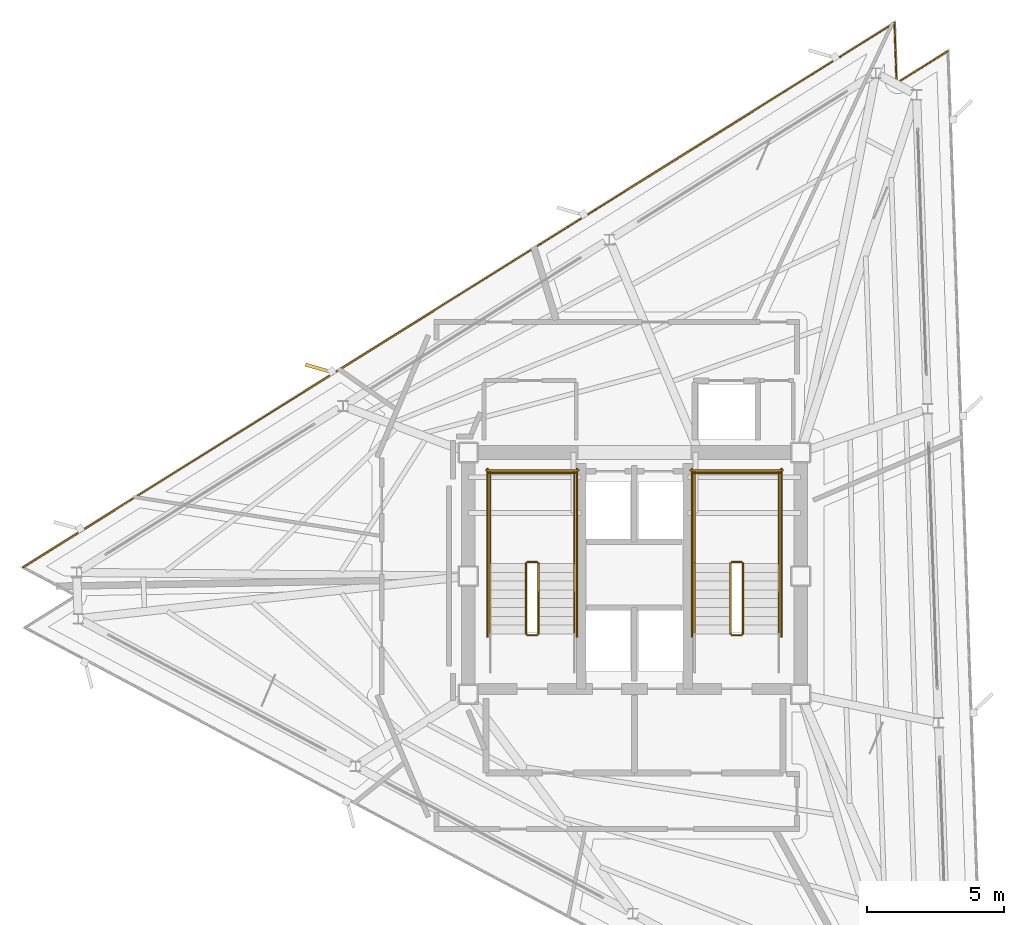
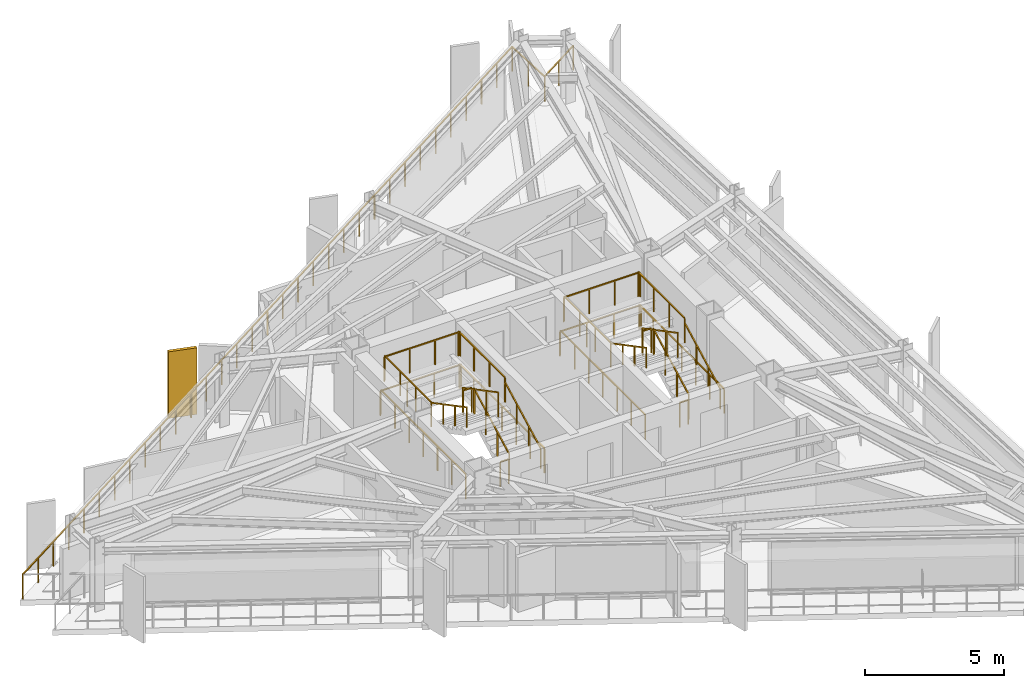
# One storey, part 12 of 13: 25 railings, 1 shading device.
"""IFC4 building model written with IfcOpenShell, lengths in metres."""

from ifc_helpers import new_model, si_unit, direction, frame, origin, origin_2d, place, context, subcontext, project, spatial, rectangle, extrude, material, layer, layer_set, type_object, element, save


model = new_model("IFC4")

# Units and contexts
model_context = context("Model", 3, precision=1e-05, world=origin(), true_north=direction((0.0, 1.0)))
body_context = subcontext(model_context, "Body", "Model", "MODEL_VIEW")
ifc_project = project(units=[si_unit("LENGTHUNIT", "METRE"), si_unit("AREAUNIT", "SQUARE_METRE"), si_unit("VOLUMEUNIT", "CUBIC_METRE"), si_unit("PLANEANGLEUNIT", "RADIAN"), si_unit("MASSUNIT", "GRAM", prefix="KILO")], contexts=[model_context])

# Site, building, storey
site_placement = place(None, origin())
site = spatial("IfcSite", under=ifc_project, at=site_placement, CompositionType="ELEMENT")
building_placement = place(site_placement, origin())
building = spatial("IfcBuilding", under=site, at=building_placement, Name="Rocaltana Carrier Exchange", CompositionType="ELEMENT")
storey_placement = place(building_placement, frame((0.0, 0.0, 196.639892578125)))
storey = spatial("IfcBuildingStorey", under=building, at=storey_placement, Name="L62", CompositionType="ELEMENT", Elevation=196.639892578125)

# Railings
ifc_material_1 = material(Name="Brushed Architectural Stainless Tube", Category="steel")
ifc_layer_1 = layer(ifc_material_1, 0.048095703125)
ifc_layer_set_1 = layer_set([ifc_layer_1], Name="Brushed Architectural Stainless Tube")
railing_type_1 = type_object("IfcRailingType", Name="Stair Wall Handrail 920", PredefinedType="HANDRAIL", material=ifc_layer_set_1)
railing_1_placement = place(storey_placement, frame((-2.18994140625, -2.10009765625, 0.1689453125)))
element("IfcRailing", 1, at=railing_1_placement, inside=storey, type_object=railing_type_1, Name="L62 ST-1 stair handrail 1", PredefinedType="HANDRAIL", context=body_context, shape_type="SweptSolid", body=[
    extrude(rectangle(XDim=0.048095703125, YDim=0.048095703125, at=origin_2d()), frame((0.0, 0.0, 0.8759765625), z_axis=(0.0, 0.884394423565, 0.466740295633), x_axis=(-1.0, 0.0, 0.0)), (0.0, 0.0, 1.0), 2.894775390625),
    extrude(rectangle(XDim=0.0419921875, YDim=0.0419921875, at=origin_2d()), origin(), (0.0, 0.0, 1.0), 0.851806640625),
    extrude(rectangle(XDim=0.0419921875, YDim=0.0419921875, at=origin_2d()), frame((0.0, 0.853271484375, 0.450439453125)), (0.0, 0.0, 1.0), 0.851806640625),
    extrude(rectangle(XDim=0.0419921875, YDim=0.0419921875, at=origin_2d()), frame((0.0, 1.706787109375, 0.900634765625)), (0.0, 0.0, 1.0), 0.851806640625),
    extrude(rectangle(XDim=0.0419921875, YDim=0.0419921875, at=origin_2d()), frame((0.0, 2.56005859375, 1.35107421875)), (0.0, 0.0, 1.0), 0.851806640625),
])
railing_2_placement = place(storey_placement, frame((-5.25, 0.4599609375, 1.68896484375)))
element("IfcRailing", 2, at=railing_2_placement, inside=storey, type_object=railing_type_1, Name="L62 ST-1 stair handrail 2", PredefinedType="HANDRAIL", context=body_context, shape_type="SweptSolid", body=[
    extrude(rectangle(XDim=0.048095703125, YDim=0.048095703125, at=origin_2d()), frame((0.0, 0.0, 0.8759765625), z_axis=(0.0, -0.884394423565, 0.466740295633), x_axis=(1.0, 0.0, 0.0)), (0.0, 0.0, 1.0), 2.894775390625),
    extrude(rectangle(XDim=0.0419921875, YDim=0.0419921875, at=origin_2d()), origin(), (0.0, 0.0, 1.0), 0.851806640625),
    extrude(rectangle(XDim=0.0419921875, YDim=0.0419921875, at=origin_2d()), frame((0.0, -0.853271484375, 0.450439453125)), (0.0, 0.0, 1.0), 0.851806640625),
    extrude(rectangle(XDim=0.0419921875, YDim=0.0419921875, at=origin_2d()), frame((0.0, -1.706787109375, 0.900634765625)), (0.0, 0.0, 1.0), 0.851806640625),
    extrude(rectangle(XDim=0.0419921875, YDim=0.0419921875, at=origin_2d()), frame((0.0, -2.56005859375, 1.35107421875)), (0.0, 0.0, 1.0), 0.851806640625),
])
railing_3_placement = place(storey_placement, frame((5.25, -2.10009765625, 0.1689453125)))
element("IfcRailing", 3, at=railing_3_placement, inside=storey, type_object=railing_type_1, Name="L62 ST-2 stair handrail 1", PredefinedType="HANDRAIL", context=body_context, shape_type="SweptSolid", body=[
    extrude(rectangle(XDim=0.048095703125, YDim=0.048095703125, at=origin_2d()), frame((0.0, 0.0, 0.8759765625), z_axis=(0.0, 0.884394423565, 0.466740295633), x_axis=(-1.0, 0.0, 0.0)), (0.0, 0.0, 1.0), 2.894775390625),
    extrude(rectangle(XDim=0.0419921875, YDim=0.0419921875, at=origin_2d()), origin(), (0.0, 0.0, 1.0), 0.851806640625),
    extrude(rectangle(XDim=0.0419921875, YDim=0.0419921875, at=origin_2d()), frame((0.0, 0.853271484375, 0.450439453125)), (0.0, 0.0, 1.0), 0.851806640625),
    extrude(rectangle(XDim=0.0419921875, YDim=0.0419921875, at=origin_2d()), frame((0.0, 1.706787109375, 0.900634765625)), (0.0, 0.0, 1.0), 0.851806640625),
    extrude(rectangle(XDim=0.0419921875, YDim=0.0419921875, at=origin_2d()), frame((0.0, 2.56005859375, 1.35107421875)), (0.0, 0.0, 1.0), 0.851806640625),
])
railing_4_placement = place(storey_placement, frame((2.18994140625, 0.4599609375, 1.68896484375)))
element("IfcRailing", 4, at=railing_4_placement, inside=storey, type_object=railing_type_1, Name="L62 ST-2 stair handrail 2", PredefinedType="HANDRAIL", context=body_context, shape_type="SweptSolid", body=[
    extrude(rectangle(XDim=0.048095703125, YDim=0.048095703125, at=origin_2d()), frame((0.0, 0.0, 0.8759765625), z_axis=(0.0, -0.884394423565, 0.466740295633), x_axis=(1.0, 0.0, 0.0)), (0.0, 0.0, 1.0), 2.894775390625),
    extrude(rectangle(XDim=0.0419921875, YDim=0.0419921875, at=origin_2d()), origin(), (0.0, 0.0, 1.0), 0.851806640625),
    extrude(rectangle(XDim=0.0419921875, YDim=0.0419921875, at=origin_2d()), frame((0.0, -0.853271484375, 0.450439453125)), (0.0, 0.0, 1.0), 0.851806640625),
    extrude(rectangle(XDim=0.0419921875, YDim=0.0419921875, at=origin_2d()), frame((0.0, -1.706787109375, 0.900634765625)), (0.0, 0.0, 1.0), 0.851806640625),
    extrude(rectangle(XDim=0.0419921875, YDim=0.0419921875, at=origin_2d()), frame((0.0, -2.56005859375, 1.35107421875)), (0.0, 0.0, 1.0), 0.851806640625),
])
ifc_material_2 = material(Name="Powder-Coated Aluminium 6063-T6", Category="aluminium")
ifc_layer_2 = layer(ifc_material_2, 0.048095703125)
ifc_layer_set_2 = layer_set([ifc_layer_2], Name="Powder-Coated Aluminium 6063-T6")
railing_type_2 = type_object("IfcRailingType", Name="Stair Well Guardrail 1100", PredefinedType="GUARDRAIL", material=ifc_layer_set_2)
railing_5_placement = place(storey_placement, frame((-3.489990234375, -2.10009765625, 0.1689453125)))
element("IfcRailing", 5, at=railing_5_placement, inside=storey, type_object=railing_type_2, Name="L62 ST-1 stair guard 1", PredefinedType="GUARDRAIL", context=body_context, shape_type="SweptSolid", body=[
    extrude(rectangle(XDim=0.048095703125, YDim=0.048095703125, at=origin_2d()), frame((0.0, 0.0, 1.076171875), z_axis=(0.0, 0.884394423565, 0.466740295633), x_axis=(-1.0, 0.0, 0.0)), (0.0, 0.0, 1.0), 2.894775390625),
    extrude(rectangle(XDim=0.0419921875, YDim=0.0419921875, at=origin_2d()), origin(), (0.0, 0.0, 1.0), 1.052001953125),
    extrude(rectangle(XDim=0.0419921875, YDim=0.0419921875, at=origin_2d()), frame((0.0, 0.853271484375, 0.450439453125)), (0.0, 0.0, 1.0), 1.052001953125),
    extrude(rectangle(XDim=0.0419921875, YDim=0.0419921875, at=origin_2d()), frame((0.0, 1.706787109375, 0.900634765625)), (0.0, 0.0, 1.0), 1.052001953125),
    extrude(rectangle(XDim=0.0419921875, YDim=0.0419921875, at=origin_2d()), frame((0.0, 2.56005859375, 1.35107421875)), (0.0, 0.0, 1.0), 1.052001953125),
])
railing_6_placement = place(storey_placement, frame((-3.5400390625, 0.510009765625, 1.52001953125)))
element("IfcRailing", 6, at=railing_6_placement, inside=storey, type_object=railing_type_2, Name="L62 ST-1 stair guard 2", PredefinedType="GUARDRAIL", context=body_context, shape_type="SweptSolid", body=[
    extrude(rectangle(XDim=0.048095703125, YDim=0.048095703125, at=origin_2d()), frame((0.0, 0.0, 1.076171875), z_axis=(-1.0, 0.0, 0.0), x_axis=(0.0, -1.0, 0.0)), (0.0, 0.0, 1.0), 0.35986328125),
    extrude(rectangle(XDim=0.0419921875, YDim=0.0419921875, at=origin_2d()), origin(), (0.0, 0.0, 1.0), 1.052001953125),
    extrude(rectangle(XDim=0.0419921875, YDim=0.0419921875, at=origin_2d()), frame((-0.35986328125, 0.0, 0.0)), (0.0, 0.0, 1.0), 1.052001953125),
])
for number, where, name in (
    (7, (-2.18994140625, 0.4599609375, 1.52001953125), "L62 ST-1 stair guard 3"),
    (8, (-5.25, 0.4599609375, 1.52001953125), "L62 ST-1 stair guard 4"),
):
    element("IfcRailing", number, at=place(storey_placement, frame(where)), inside=storey, type_object=railing_type_2, Name=name, PredefinedType="GUARDRAIL", context=body_context, shape_type="SweptSolid", body=[
        extrude(rectangle(XDim=0.048095703125, YDim=0.048095703125, at=origin_2d()), frame((0.0, 0.0, 1.076171875), z_axis=(0.0, 1.0, 0.0), x_axis=(-1.0, 0.0, 0.0)), (0.0, 0.0, 1.0), 3.340087890625),
        extrude(rectangle(XDim=0.0419921875, YDim=0.0419921875, at=origin_2d()), origin(), (0.0, 0.0, 1.0), 1.052001953125),
        extrude(rectangle(XDim=0.0419921875, YDim=0.0419921875, at=origin_2d()), frame((0.0, 1.11328125, 0.0)), (0.0, 0.0, 1.0), 1.052001953125),
        extrude(rectangle(XDim=0.0419921875, YDim=0.0419921875, at=origin_2d()), frame((0.0, 2.226806640625, 0.0)), (0.0, 0.0, 1.0), 1.052001953125),
        extrude(rectangle(XDim=0.0419921875, YDim=0.0419921875, at=origin_2d()), frame((0.0, 3.340087890625, 0.0)), (0.0, 0.0, 1.0), 1.052001953125),
    ])
railing_7_placement = place(storey_placement, frame((-2.139892578125, 3.75, 1.52001953125)))
element("IfcRailing", 9, at=railing_7_placement, inside=storey, type_object=railing_type_2, Name="L62 ST-1 stair guard 5", PredefinedType="GUARDRAIL", context=body_context, shape_type="SweptSolid", body=[
    extrude(rectangle(XDim=0.048095703125, YDim=0.048095703125, at=origin_2d()), frame((0.0, 0.0, 1.076171875), z_axis=(-1.0, 0.0, 0.0), x_axis=(0.0, -1.0, 0.0)), (0.0, 0.0, 1.0), 3.16015625),
    extrude(rectangle(XDim=0.0419921875, YDim=0.0419921875, at=origin_2d()), origin(), (0.0, 0.0, 1.0), 1.052001953125),
    extrude(rectangle(XDim=0.0419921875, YDim=0.0419921875, at=origin_2d()), frame((-1.053466796875, 0.0, 0.0)), (0.0, 0.0, 1.0), 1.052001953125),
    extrude(rectangle(XDim=0.0419921875, YDim=0.0419921875, at=origin_2d()), frame((-2.106689453125, 0.0, 0.0)), (0.0, 0.0, 1.0), 1.052001953125),
    extrude(rectangle(XDim=0.0419921875, YDim=0.0419921875, at=origin_2d()), frame((-3.16015625, 0.0, 0.0)), (0.0, 0.0, 1.0), 1.052001953125),
])
railing_8_placement = place(storey_placement, frame((-3.949951171875, 0.4599609375, 1.68896484375)))
element("IfcRailing", 10, at=railing_8_placement, inside=storey, type_object=railing_type_2, Name="L62 ST-1 stair guard 6", PredefinedType="GUARDRAIL", context=body_context, shape_type="SweptSolid", body=[
    extrude(rectangle(XDim=0.048095703125, YDim=0.048095703125, at=origin_2d()), frame((0.0, 0.0, 1.076171875), z_axis=(0.0, -0.884394423565, 0.466740295633), x_axis=(1.0, 0.0, 0.0)), (0.0, 0.0, 1.0), 2.894775390625),
    extrude(rectangle(XDim=0.0419921875, YDim=0.0419921875, at=origin_2d()), origin(), (0.0, 0.0, 1.0), 1.052001953125),
    extrude(rectangle(XDim=0.0419921875, YDim=0.0419921875, at=origin_2d()), frame((0.0, -0.853271484375, 0.450439453125)), (0.0, 0.0, 1.0), 1.052001953125),
    extrude(rectangle(XDim=0.0419921875, YDim=0.0419921875, at=origin_2d()), frame((0.0, -1.706787109375, 0.900634765625)), (0.0, 0.0, 1.0), 1.052001953125),
    extrude(rectangle(XDim=0.0419921875, YDim=0.0419921875, at=origin_2d()), frame((0.0, -2.56005859375, 1.35107421875)), (0.0, 0.0, 1.0), 1.052001953125),
])
railing_9_placement = place(storey_placement, frame((-3.5400390625, -2.14990234375, 0.0)))
element("IfcRailing", 11, at=railing_9_placement, inside=storey, type_object=railing_type_2, Name="L62 ST-1 stair guard 7", PredefinedType="GUARDRAIL", context=body_context, shape_type="SweptSolid", body=[
    extrude(rectangle(XDim=0.048095703125, YDim=0.048095703125, at=origin_2d()), frame((0.0, 0.0, 1.076171875), z_axis=(-1.0, 0.0, 0.0), x_axis=(0.0, -1.0, 0.0)), (0.0, 0.0, 1.0), 0.35986328125),
    extrude(rectangle(XDim=0.0419921875, YDim=0.0419921875, at=origin_2d()), origin(), (0.0, 0.0, 1.0), 1.052001953125),
    extrude(rectangle(XDim=0.0419921875, YDim=0.0419921875, at=origin_2d()), frame((-0.35986328125, 0.0, 0.0)), (0.0, 0.0, 1.0), 1.052001953125),
])
for number, where, name in (
    (12, (-2.090087890625, -2.199951171875, 0.0), "L62 ST-1 stair guard 10"),
    (13, (-5.35009765625, -2.199951171875, 0.0), "L62 ST-1 stair guard 11"),
):
    element("IfcRailing", number, at=place(storey_placement, frame(where)), inside=storey, type_object=railing_type_2, Name=name, PredefinedType="GUARDRAIL", context=body_context, shape_type="SweptSolid", body=[
        extrude(rectangle(XDim=0.048095703125, YDim=0.048095703125, at=origin_2d()), frame((0.0, 0.0, 1.076171875), z_axis=(0.0, 1.0, 0.0), x_axis=(-1.0, 0.0, 0.0)), (0.0, 0.0, 1.0), 6.099853515625),
        extrude(rectangle(XDim=0.0419921875, YDim=0.0419921875, at=origin_2d()), origin(), (0.0, 0.0, 1.0), 1.052001953125),
        extrude(rectangle(XDim=0.0419921875, YDim=0.0419921875, at=origin_2d()), frame((0.0, 1.0166015625, 0.0)), (0.0, 0.0, 1.0), 1.052001953125),
        extrude(rectangle(XDim=0.0419921875, YDim=0.0419921875, at=origin_2d()), frame((0.0, 2.033203125, 0.0)), (0.0, 0.0, 1.0), 1.052001953125),
        extrude(rectangle(XDim=0.0419921875, YDim=0.0419921875, at=origin_2d()), frame((0.0, 3.0498046875, 0.0)), (0.0, 0.0, 1.0), 1.052001953125),
        extrude(rectangle(XDim=0.0419921875, YDim=0.0419921875, at=origin_2d()), frame((0.0, 4.066650390625, 0.0)), (0.0, 0.0, 1.0), 1.052001953125),
        extrude(rectangle(XDim=0.0419921875, YDim=0.0419921875, at=origin_2d()), frame((0.0, 5.083251953125, 0.0)), (0.0, 0.0, 1.0), 1.052001953125),
        extrude(rectangle(XDim=0.0419921875, YDim=0.0419921875, at=origin_2d()), frame((0.0, 6.099853515625, 0.0)), (0.0, 0.0, 1.0), 1.052001953125),
    ])
railing_10_placement = place(storey_placement, frame((-2.0400390625, 3.85009765625, 0.0)))
element("IfcRailing", 14, at=railing_10_placement, inside=storey, type_object=railing_type_2, Name="L62 ST-1 stair guard 12", PredefinedType="GUARDRAIL", context=body_context, shape_type="SweptSolid", body=[
    extrude(rectangle(XDim=0.048095703125, YDim=0.048095703125, at=origin_2d()), frame((0.0, 0.0, 1.076171875), z_axis=(-1.0, 0.0, 0.0), x_axis=(0.0, -1.0, 0.0)), (0.0, 0.0, 1.0), 3.35986328125),
    extrude(rectangle(XDim=0.0419921875, YDim=0.0419921875, at=origin_2d()), origin(), (0.0, 0.0, 1.0), 1.052001953125),
    extrude(rectangle(XDim=0.0419921875, YDim=0.0419921875, at=origin_2d()), frame((-1.119873046875, 0.0, 0.0)), (0.0, 0.0, 1.0), 1.052001953125),
    extrude(rectangle(XDim=0.0419921875, YDim=0.0419921875, at=origin_2d()), frame((-2.239990234375, 0.0, 0.0)), (0.0, 0.0, 1.0), 1.052001953125),
    extrude(rectangle(XDim=0.0419921875, YDim=0.0419921875, at=origin_2d()), frame((-3.35986328125, 0.0, 0.0)), (0.0, 0.0, 1.0), 1.052001953125),
])
railing_11_placement = place(storey_placement, frame((3.949951171875, -2.10009765625, 0.1689453125)))
element("IfcRailing", 15, at=railing_11_placement, inside=storey, type_object=railing_type_2, Name="L62 ST-2 stair guard 1", PredefinedType="GUARDRAIL", context=body_context, shape_type="SweptSolid", body=[
    extrude(rectangle(XDim=0.048095703125, YDim=0.048095703125, at=origin_2d()), frame((0.0, 0.0, 1.076171875), z_axis=(0.0, 0.884394423565, 0.466740295633), x_axis=(-1.0, 0.0, 0.0)), (0.0, 0.0, 1.0), 2.894775390625),
    extrude(rectangle(XDim=0.0419921875, YDim=0.0419921875, at=origin_2d()), origin(), (0.0, 0.0, 1.0), 1.052001953125),
    extrude(rectangle(XDim=0.0419921875, YDim=0.0419921875, at=origin_2d()), frame((0.0, 0.853271484375, 0.450439453125)), (0.0, 0.0, 1.0), 1.052001953125),
    extrude(rectangle(XDim=0.0419921875, YDim=0.0419921875, at=origin_2d()), frame((0.0, 1.706787109375, 0.900634765625)), (0.0, 0.0, 1.0), 1.052001953125),
    extrude(rectangle(XDim=0.0419921875, YDim=0.0419921875, at=origin_2d()), frame((0.0, 2.56005859375, 1.35107421875)), (0.0, 0.0, 1.0), 1.052001953125),
])
railing_12_placement = place(storey_placement, frame((3.89990234375, 0.510009765625, 1.52001953125)))
element("IfcRailing", 16, at=railing_12_placement, inside=storey, type_object=railing_type_2, Name="L62 ST-2 stair guard 2", PredefinedType="GUARDRAIL", context=body_context, shape_type="SweptSolid", body=[
    extrude(rectangle(XDim=0.048095703125, YDim=0.048095703125, at=origin_2d()), frame((0.0, 0.0, 1.076171875), z_axis=(-1.0, 0.0, 0.0), x_axis=(0.0, -1.0, 0.0)), (0.0, 0.0, 1.0), 0.35986328125),
    extrude(rectangle(XDim=0.0419921875, YDim=0.0419921875, at=origin_2d()), origin(), (0.0, 0.0, 1.0), 1.052001953125),
    extrude(rectangle(XDim=0.0419921875, YDim=0.0419921875, at=origin_2d()), frame((-0.35986328125, 0.0, 0.0)), (0.0, 0.0, 1.0), 1.052001953125),
])
for number, where, name in (
    (17, (5.25, 0.4599609375, 1.52001953125), "L62 ST-2 stair guard 3"),
    (18, (2.18994140625, 0.4599609375, 1.52001953125), "L62 ST-2 stair guard 4"),
):
    element("IfcRailing", number, at=place(storey_placement, frame(where)), inside=storey, type_object=railing_type_2, Name=name, PredefinedType="GUARDRAIL", context=body_context, shape_type="SweptSolid", body=[
        extrude(rectangle(XDim=0.048095703125, YDim=0.048095703125, at=origin_2d()), frame((0.0, 0.0, 1.076171875), z_axis=(0.0, 1.0, 0.0), x_axis=(-1.0, 0.0, 0.0)), (0.0, 0.0, 1.0), 3.340087890625),
        extrude(rectangle(XDim=0.0419921875, YDim=0.0419921875, at=origin_2d()), origin(), (0.0, 0.0, 1.0), 1.052001953125),
        extrude(rectangle(XDim=0.0419921875, YDim=0.0419921875, at=origin_2d()), frame((0.0, 1.11328125, 0.0)), (0.0, 0.0, 1.0), 1.052001953125),
        extrude(rectangle(XDim=0.0419921875, YDim=0.0419921875, at=origin_2d()), frame((0.0, 2.226806640625, 0.0)), (0.0, 0.0, 1.0), 1.052001953125),
        extrude(rectangle(XDim=0.0419921875, YDim=0.0419921875, at=origin_2d()), frame((0.0, 3.340087890625, 0.0)), (0.0, 0.0, 1.0), 1.052001953125),
    ])
railing_13_placement = place(storey_placement, frame((5.300048828125, 3.75, 1.52001953125)))
element("IfcRailing", 19, at=railing_13_placement, inside=storey, type_object=railing_type_2, Name="L62 ST-2 stair guard 5", PredefinedType="GUARDRAIL", context=body_context, shape_type="SweptSolid", body=[
    extrude(rectangle(XDim=0.048095703125, YDim=0.048095703125, at=origin_2d()), frame((0.0, 0.0, 1.076171875), z_axis=(-1.0, 0.0, 0.0), x_axis=(0.0, -1.0, 0.0)), (0.0, 0.0, 1.0), 3.16015625),
    extrude(rectangle(XDim=0.0419921875, YDim=0.0419921875, at=origin_2d()), origin(), (0.0, 0.0, 1.0), 1.052001953125),
    extrude(rectangle(XDim=0.0419921875, YDim=0.0419921875, at=origin_2d()), frame((-1.053466796875, 0.0, 0.0)), (0.0, 0.0, 1.0), 1.052001953125),
    extrude(rectangle(XDim=0.0419921875, YDim=0.0419921875, at=origin_2d()), frame((-2.106689453125, 0.0, 0.0)), (0.0, 0.0, 1.0), 1.052001953125),
    extrude(rectangle(XDim=0.0419921875, YDim=0.0419921875, at=origin_2d()), frame((-3.16015625, 0.0, 0.0)), (0.0, 0.0, 1.0), 1.052001953125),
])
railing_14_placement = place(storey_placement, frame((3.489990234375, 0.4599609375, 1.68896484375)))
element("IfcRailing", 20, at=railing_14_placement, inside=storey, type_object=railing_type_2, Name="L62 ST-2 stair guard 6", PredefinedType="GUARDRAIL", context=body_context, shape_type="SweptSolid", body=[
    extrude(rectangle(XDim=0.048095703125, YDim=0.048095703125, at=origin_2d()), frame((0.0, 0.0, 1.076171875), z_axis=(0.0, -0.884394423565, 0.466740295633), x_axis=(1.0, 0.0, 0.0)), (0.0, 0.0, 1.0), 2.894775390625),
    extrude(rectangle(XDim=0.0419921875, YDim=0.0419921875, at=origin_2d()), origin(), (0.0, 0.0, 1.0), 1.052001953125),
    extrude(rectangle(XDim=0.0419921875, YDim=0.0419921875, at=origin_2d()), frame((0.0, -0.853271484375, 0.450439453125)), (0.0, 0.0, 1.0), 1.052001953125),
    extrude(rectangle(XDim=0.0419921875, YDim=0.0419921875, at=origin_2d()), frame((0.0, -1.706787109375, 0.900634765625)), (0.0, 0.0, 1.0), 1.052001953125),
    extrude(rectangle(XDim=0.0419921875, YDim=0.0419921875, at=origin_2d()), frame((0.0, -2.56005859375, 1.35107421875)), (0.0, 0.0, 1.0), 1.052001953125),
])
railing_15_placement = place(storey_placement, frame((3.89990234375, -2.14990234375, 0.0)))
element("IfcRailing", 21, at=railing_15_placement, inside=storey, type_object=railing_type_2, Name="L62 ST-2 stair guard 7", PredefinedType="GUARDRAIL", context=body_context, shape_type="SweptSolid", body=[
    extrude(rectangle(XDim=0.048095703125, YDim=0.048095703125, at=origin_2d()), frame((0.0, 0.0, 1.076171875), z_axis=(-1.0, 0.0, 0.0), x_axis=(0.0, -1.0, 0.0)), (0.0, 0.0, 1.0), 0.35986328125),
    extrude(rectangle(XDim=0.0419921875, YDim=0.0419921875, at=origin_2d()), origin(), (0.0, 0.0, 1.0), 1.052001953125),
    extrude(rectangle(XDim=0.0419921875, YDim=0.0419921875, at=origin_2d()), frame((-0.35986328125, 0.0, 0.0)), (0.0, 0.0, 1.0), 1.052001953125),
])
for number, where, name in (
    (22, (5.35009765625, -2.199951171875, 0.0), "L62 ST-2 stair guard 10"),
    (23, (2.090087890625, -2.199951171875, 0.0), "L62 ST-2 stair guard 11"),
):
    element("IfcRailing", number, at=place(storey_placement, frame(where)), inside=storey, type_object=railing_type_2, Name=name, PredefinedType="GUARDRAIL", context=body_context, shape_type="SweptSolid", body=[
        extrude(rectangle(XDim=0.048095703125, YDim=0.048095703125, at=origin_2d()), frame((0.0, 0.0, 1.076171875), z_axis=(0.0, 1.0, 0.0), x_axis=(-1.0, 0.0, 0.0)), (0.0, 0.0, 1.0), 6.099853515625),
        extrude(rectangle(XDim=0.0419921875, YDim=0.0419921875, at=origin_2d()), origin(), (0.0, 0.0, 1.0), 1.052001953125),
        extrude(rectangle(XDim=0.0419921875, YDim=0.0419921875, at=origin_2d()), frame((0.0, 1.0166015625, 0.0)), (0.0, 0.0, 1.0), 1.052001953125),
        extrude(rectangle(XDim=0.0419921875, YDim=0.0419921875, at=origin_2d()), frame((0.0, 2.033203125, 0.0)), (0.0, 0.0, 1.0), 1.052001953125),
        extrude(rectangle(XDim=0.0419921875, YDim=0.0419921875, at=origin_2d()), frame((0.0, 3.0498046875, 0.0)), (0.0, 0.0, 1.0), 1.052001953125),
        extrude(rectangle(XDim=0.0419921875, YDim=0.0419921875, at=origin_2d()), frame((0.0, 4.066650390625, 0.0)), (0.0, 0.0, 1.0), 1.052001953125),
        extrude(rectangle(XDim=0.0419921875, YDim=0.0419921875, at=origin_2d()), frame((0.0, 5.083251953125, 0.0)), (0.0, 0.0, 1.0), 1.052001953125),
        extrude(rectangle(XDim=0.0419921875, YDim=0.0419921875, at=origin_2d()), frame((0.0, 6.099853515625, 0.0)), (0.0, 0.0, 1.0), 1.052001953125),
    ])
railing_16_placement = place(storey_placement, frame((5.39990234375, 3.85009765625, 0.0)))
element("IfcRailing", 24, at=railing_16_placement, inside=storey, type_object=railing_type_2, Name="L62 ST-2 stair guard 12", PredefinedType="GUARDRAIL", context=body_context, shape_type="SweptSolid", body=[
    extrude(rectangle(XDim=0.048095703125, YDim=0.048095703125, at=origin_2d()), frame((0.0, 0.0, 1.076171875), z_axis=(-1.0, 0.0, 0.0), x_axis=(0.0, -1.0, 0.0)), (0.0, 0.0, 1.0), 3.35986328125),
    extrude(rectangle(XDim=0.0419921875, YDim=0.0419921875, at=origin_2d()), origin(), (0.0, 0.0, 1.0), 1.052001953125),
    extrude(rectangle(XDim=0.0419921875, YDim=0.0419921875, at=origin_2d()), frame((-1.119873046875, 0.0, 0.0)), (0.0, 0.0, 1.0), 1.052001953125),
    extrude(rectangle(XDim=0.0419921875, YDim=0.0419921875, at=origin_2d()), frame((-2.239990234375, 0.0, 0.0)), (0.0, 0.0, 1.0), 1.052001953125),
    extrude(rectangle(XDim=0.0419921875, YDim=0.0419921875, at=origin_2d()), frame((-3.35986328125, 0.0, 0.0)), (0.0, 0.0, 1.0), 1.052001953125),
])

# Shading device
ifc_material_3 = material(Name="Honed Bogota Sandstone & Concrete C45/55", Category="masonry")
ifc_layer_3 = layer(ifc_material_3, 0.1201171875)
ifc_layer_set_3 = layer_set([ifc_layer_3], Name="Honed Bogota Sandstone & Concrete C45/55")
shading_device_type = type_object("IfcShadingDeviceType", Name="Upper Sandstone Shading Fin 1050x120", PredefinedType="USERDEFINED", material=ifc_layer_set_3)
shading_device_placement = place(storey_placement, frame((-11.470703125, 7.55419921875, -0.119873046875), z_axis=(0.0, 0.0, 1.0), x_axis=(-0.961261695938, 0.275637355817, 0.0)))
element("IfcShadingDevice", 25, at=shading_device_placement, inside=storey, type_object=shading_device_type, Name="L62 Sandstone Vertical Fin F2-03", ObjectType="FIN", PredefinedType="USERDEFINED", context=body_context, shape_type="SweptSolid", body=[
    extrude(rectangle(XDim=1.050048828125, YDim=0.1201171875, at=origin_2d()), origin(), (0.0, 0.0, 1.0), 2.91796875),
])

# Railing
ifc_material_4 = material(Name="Powder-Coated Aluminium 6063-T6", Category="aluminium")
ifc_layer_4 = layer(ifc_material_4, 0.06005859375)
ifc_layer_set_4 = layer_set([ifc_layer_4], Name="Powder-Coated Aluminium 6063-T6")
railing_type_3 = type_object("IfcRailingType", Name="Wind-Floor & Terrace Perimeter Guardrail 1100", PredefinedType="GUARDRAIL", material=ifc_layer_set_4)
railing_17_placement = place(storey_placement, frame((-22.248291015625, 0.32373046875, 0.0)))
element("IfcRailing", 26, at=railing_17_placement, inside=storey, type_object=railing_type_3, Name="L62 Perimeter Balcony Guardrail 2", PredefinedType="GUARDRAIL", context=body_context, shape_type="SweptSolid", body=[
    extrude(rectangle(XDim=0.048095703125, YDim=0.048095703125, at=origin_2d()), frame((0.0, 0.0, 1.076171875), z_axis=(0.848050386707, 0.529915598568, 0.0), x_axis=(-0.529915598568, 0.848050386707, 0.0)), (0.0, 0.0, 1.0), 37.39208984375),
    extrude(rectangle(XDim=0.048095703125, YDim=0.048095703125, at=origin_2d()), frame((31.71044921875, 19.814697265625, 1.076171875), z_axis=(0.034848337617, -0.999392612223, 0.0), x_axis=(0.999392612223, 0.034848337617, 0.0)), (0.0, 0.0, 1.0), 2.19970703125),
    extrude(rectangle(XDim=0.048095703125, YDim=0.048095703125, at=origin_2d()), frame((31.787109375, 17.6162109375, 1.076171875), z_axis=(0.848060642886, 0.52989918474, 0.0), x_axis=(-0.52989918474, 0.848060642886, 0.0)), (0.0, 0.0, 1.0), 2.199951171875),
    extrude(rectangle(XDim=0.0419921875, YDim=0.0419921875, at=origin_2d()), origin(), (0.0, 0.0, 1.0), 1.052001953125),
    extrude(rectangle(XDim=0.0419921875, YDim=0.0419921875, at=origin_2d()), frame((0.990966796875, 0.619140625, 0.0)), (0.0, 0.0, 1.0), 1.052001953125),
    extrude(rectangle(XDim=0.0419921875, YDim=0.0419921875, at=origin_2d()), frame((1.98193359375, 1.238525390625, 0.0)), (0.0, 0.0, 1.0), 1.052001953125),
    extrude(rectangle(XDim=0.0419921875, YDim=0.0419921875, at=origin_2d()), frame((2.972900390625, 1.857666015625, 0.0)), (0.0, 0.0, 1.0), 1.052001953125),
    extrude(rectangle(XDim=0.0419921875, YDim=0.0419921875, at=origin_2d()), frame((3.9638671875, 2.476806640625, 0.0)), (0.0, 0.0, 1.0), 1.052001953125),
    extrude(rectangle(XDim=0.0419921875, YDim=0.0419921875, at=origin_2d()), frame((4.954833984375, 3.095947265625, 0.0)), (0.0, 0.0, 1.0), 1.052001953125),
    extrude(rectangle(XDim=0.0419921875, YDim=0.0419921875, at=origin_2d()), frame((5.94580078125, 3.71533203125, 0.0)), (0.0, 0.0, 1.0), 1.052001953125),
    extrude(rectangle(XDim=0.0419921875, YDim=0.0419921875, at=origin_2d()), frame((6.936767578125, 4.33447265625, 0.0)), (0.0, 0.0, 1.0), 1.052001953125),
    extrude(rectangle(XDim=0.0419921875, YDim=0.0419921875, at=origin_2d()), frame((7.927734375, 4.95361328125, 0.0)), (0.0, 0.0, 1.0), 1.052001953125),
    extrude(rectangle(XDim=0.0419921875, YDim=0.0419921875, at=origin_2d()), frame((8.91845703125, 5.572998046875, 0.0)), (0.0, 0.0, 1.0), 1.052001953125),
    extrude(rectangle(XDim=0.0419921875, YDim=0.0419921875, at=origin_2d()), frame((9.909423828125, 6.192138671875, 0.0)), (0.0, 0.0, 1.0), 1.052001953125),
    extrude(rectangle(XDim=0.0419921875, YDim=0.0419921875, at=origin_2d()), frame((10.900390625, 6.811279296875, 0.0)), (0.0, 0.0, 1.0), 1.052001953125),
    extrude(rectangle(XDim=0.0419921875, YDim=0.0419921875, at=origin_2d()), frame((11.891357421875, 7.430419921875, 0.0)), (0.0, 0.0, 1.0), 1.052001953125),
    extrude(rectangle(XDim=0.0419921875, YDim=0.0419921875, at=origin_2d()), frame((12.88232421875, 8.0498046875, 0.0)), (0.0, 0.0, 1.0), 1.052001953125),
    extrude(rectangle(XDim=0.0419921875, YDim=0.0419921875, at=origin_2d()), frame((13.873291015625, 8.6689453125, 0.0)), (0.0, 0.0, 1.0), 1.052001953125),
    extrude(rectangle(XDim=0.0419921875, YDim=0.0419921875, at=origin_2d()), frame((14.8642578125, 9.2880859375, 0.0)), (0.0, 0.0, 1.0), 1.052001953125),
    extrude(rectangle(XDim=0.0419921875, YDim=0.0419921875, at=origin_2d()), frame((15.855224609375, 9.9072265625, 0.0)), (0.0, 0.0, 1.0), 1.052001953125),
    extrude(rectangle(XDim=0.0419921875, YDim=0.0419921875, at=origin_2d()), frame((16.84619140625, 10.526611328125, 0.0)), (0.0, 0.0, 1.0), 1.052001953125),
    extrude(rectangle(XDim=0.0419921875, YDim=0.0419921875, at=origin_2d()), frame((17.837158203125, 11.145751953125, 0.0)), (0.0, 0.0, 1.0), 1.052001953125),
    extrude(rectangle(XDim=0.0419921875, YDim=0.0419921875, at=origin_2d()), frame((18.828125, 11.764892578125, 0.0)), (0.0, 0.0, 1.0), 1.052001953125),
    extrude(rectangle(XDim=0.0419921875, YDim=0.0419921875, at=origin_2d()), frame((19.819091796875, 12.38427734375, 0.0)), (0.0, 0.0, 1.0), 1.052001953125),
    extrude(rectangle(XDim=0.0419921875, YDim=0.0419921875, at=origin_2d()), frame((20.81005859375, 13.00341796875, 0.0)), (0.0, 0.0, 1.0), 1.052001953125),
    extrude(rectangle(XDim=0.0419921875, YDim=0.0419921875, at=origin_2d()), frame((21.801025390625, 13.62255859375, 0.0)), (0.0, 0.0, 1.0), 1.052001953125),
    extrude(rectangle(XDim=0.0419921875, YDim=0.0419921875, at=origin_2d()), frame((22.7919921875, 14.24169921875, 0.0)), (0.0, 0.0, 1.0), 1.052001953125),
    extrude(rectangle(XDim=0.0419921875, YDim=0.0419921875, at=origin_2d()), frame((23.78271484375, 14.861083984375, 0.0)), (0.0, 0.0, 1.0), 1.052001953125),
    extrude(rectangle(XDim=0.0419921875, YDim=0.0419921875, at=origin_2d()), frame((24.773681640625, 15.480224609375, 0.0)), (0.0, 0.0, 1.0), 1.052001953125),
    extrude(rectangle(XDim=0.0419921875, YDim=0.0419921875, at=origin_2d()), frame((25.7646484375, 16.099365234375, 0.0)), (0.0, 0.0, 1.0), 1.052001953125),
    extrude(rectangle(XDim=0.0419921875, YDim=0.0419921875, at=origin_2d()), frame((26.755615234375, 16.71875, 0.0)), (0.0, 0.0, 1.0), 1.052001953125),
    extrude(rectangle(XDim=0.0419921875, YDim=0.0419921875, at=origin_2d()), frame((27.74658203125, 17.337890625, 0.0)), (0.0, 0.0, 1.0), 1.052001953125),
    extrude(rectangle(XDim=0.0419921875, YDim=0.0419921875, at=origin_2d()), frame((28.737548828125, 17.95703125, 0.0)), (0.0, 0.0, 1.0), 1.052001953125),
    extrude(rectangle(XDim=0.0419921875, YDim=0.0419921875, at=origin_2d()), frame((29.728515625, 18.576171875, 0.0)), (0.0, 0.0, 1.0), 1.052001953125),
    extrude(rectangle(XDim=0.0419921875, YDim=0.0419921875, at=origin_2d()), frame((30.719482421875, 19.195556640625, 0.0)), (0.0, 0.0, 1.0), 1.052001953125),
    extrude(rectangle(XDim=0.0419921875, YDim=0.0419921875, at=origin_2d()), frame((31.71044921875, 19.814697265625, 0.0)), (0.0, 0.0, 1.0), 1.052001953125),
    extrude(rectangle(XDim=0.0419921875, YDim=0.0419921875, at=origin_2d()), frame((31.748779296875, 18.71533203125, 0.0)), (0.0, 0.0, 1.0), 1.052001953125),
    extrude(rectangle(XDim=0.0419921875, YDim=0.0419921875, at=origin_2d()), frame((31.787109375, 17.6162109375, 0.0)), (0.0, 0.0, 1.0), 1.052001953125),
    extrude(rectangle(XDim=0.0419921875, YDim=0.0419921875, at=origin_2d()), frame((32.719970703125, 18.19921875, 0.0)), (0.0, 0.0, 1.0), 1.052001953125),
    extrude(rectangle(XDim=0.0419921875, YDim=0.0419921875, at=origin_2d()), frame((33.65283203125, 18.781982421875, 0.0)), (0.0, 0.0, 1.0), 1.052001953125),
])

save(model, "model.ifc")
